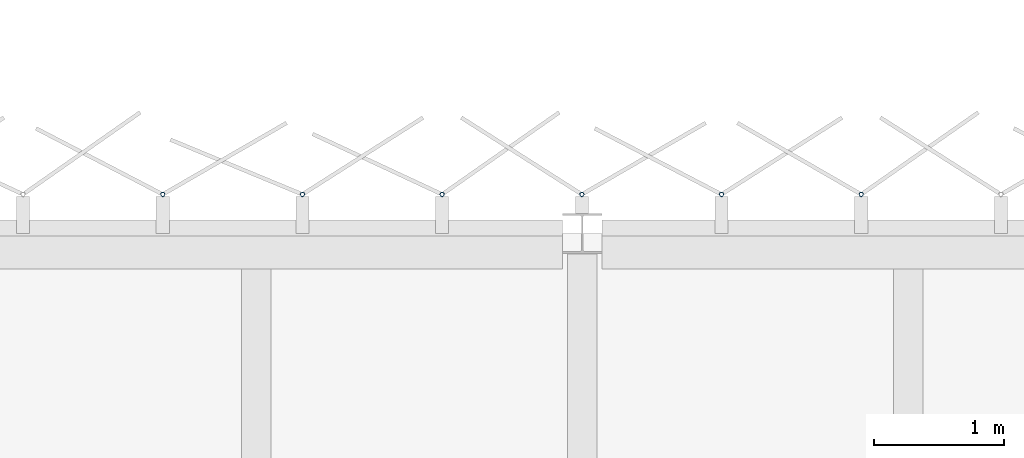
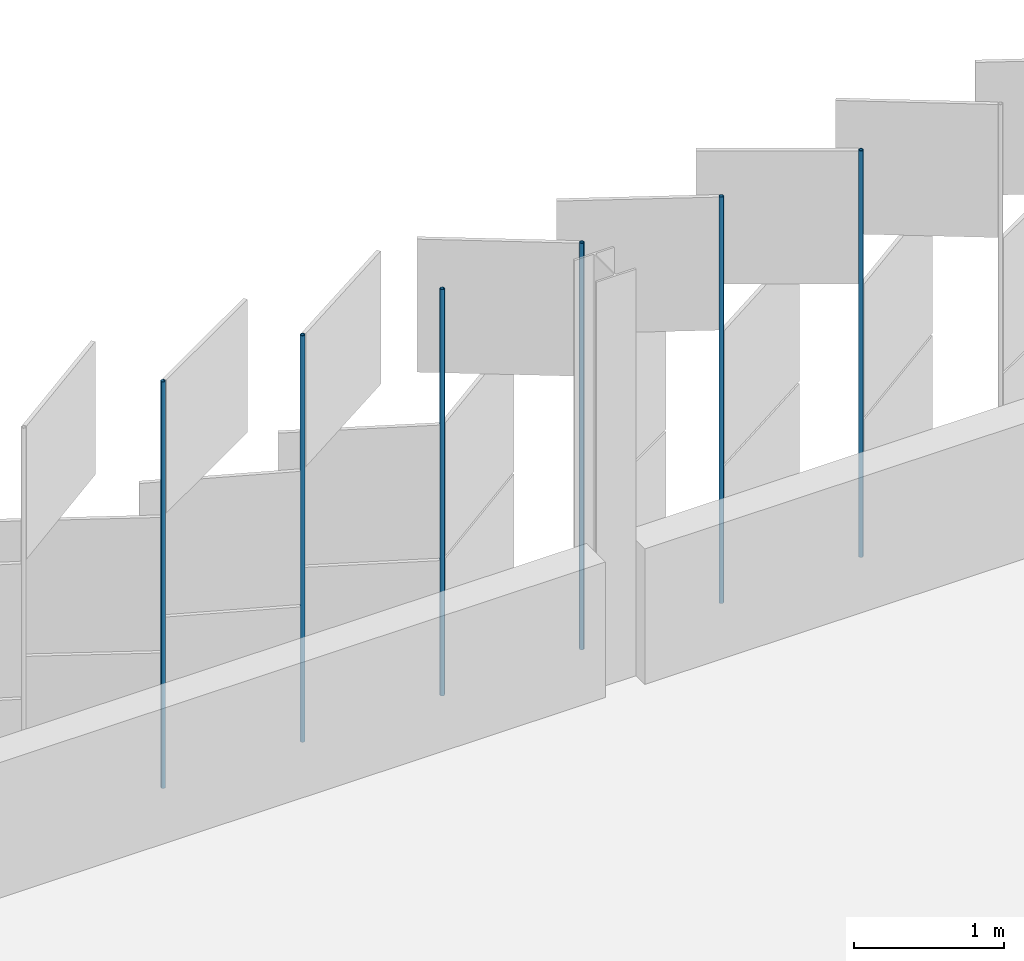
# One storey, part 149 of 198: 6 discrete accessories.
"""IFC4 building model written with IfcOpenShell, lengths in metres."""

from ifc_helpers import new_model, si_unit, direction, frame, origin, origin_2d, place, context, subcontext, project, spatial, hollow_circle, extrude, material, material_profile, profile_set, type_object, element, save


model = new_model("IFC4")

# Units and contexts
model_context = context("Model", 3, precision=1e-05, world=origin(), true_north=direction((0.0, 1.0)))
body_context = subcontext(model_context, "Body", "Model", "MODEL_VIEW")
ifc_project = project(units=[si_unit("LENGTHUNIT", "METRE"), si_unit("AREAUNIT", "SQUARE_METRE"), si_unit("VOLUMEUNIT", "CUBIC_METRE"), si_unit("PLANEANGLEUNIT", "RADIAN"), si_unit("MASSUNIT", "GRAM", prefix="KILO")], contexts=[model_context])

# Site, building, storey
site_placement = place(None, origin())
site = spatial("IfcSite", under=ifc_project, at=site_placement, CompositionType="ELEMENT")
building_placement = place(site_placement, origin())
building = spatial("IfcBuilding", under=site, at=building_placement, Name="Parallax Yard Mobility Hub", CompositionType="ELEMENT")
storey_placement = place(building_placement, frame((0.0, 0.0, 6.60009765625)))
storey = spatial("IfcBuildingStorey", under=building, at=storey_placement, Name="L02", CompositionType="ELEMENT", Elevation=6.60009765625)

# Discrete accessories
ifc_material = material(Name="Steel ASTM A500 Gr C, hot-dip galvanised", Category="steel")
ifc_material_profile = material_profile(ifc_material, hollow_circle(Radius=0.016845703125, WallThickness=0.003173828125, at=origin_2d()), Name="CHS 33.7x3.2")
ifc_profile_set = profile_set([ifc_material_profile], Name="Steel ASTM A500 Gr C, hot-dip galvanised")
discrete_accessory_type = type_object("IfcDiscreteAccessoryType", Name="Hinge post CHS 33.7x3.2", PredefinedType="BRACKET", material=ifc_profile_set)
for number, where, z_axis, x_axis, name in (
    (1, (129.6396484375, 142.800048828125, 0.0), (0.0, 0.0, 1.0), (1.0, 0.0, 0.0), "Hinge post bay 56.6 level L02"),
    (2, (128.568115234375, 142.800048828125, 0.0), (0.0, 0.0, 1.0), (1.0, 0.0, 0.0), "Hinge post bay 56.7 level L02"),
    (3, (127.49658203125, 142.800048828125, 0.0), (0.0, 0.0, 1.0), (1.0, 0.0, 0.0), "Hinge post bay 57.1 level L02"),
    (4, (126.425048828125, 142.800048828125, 0.0), (0.0, 0.0, 1.0), (1.0, 0.0, 0.0), "Hinge post bay 57.2 level L02"),
    (5, (125.353515625, 142.800048828125, 0.0), (0.0, 0.0, 1.0), (1.0, 0.0, 0.0), "Hinge post bay 57.3 level L02"),
    (6, (124.281982421875, 142.800048828125, 0.0), (0.0, 0.0, 1.0), (1.0, 0.0, 0.0), "Hinge post bay 57.4 level L02"),
):
    element("IfcDiscreteAccessory", number, at=place(storey_placement, frame(where, z_axis=z_axis, x_axis=x_axis)), inside=storey, type_object=discrete_accessory_type, Name=name, PredefinedType="BRACKET", context=body_context, shape_type="SweptSolid", body=[
        extrude(hollow_circle(Radius=0.016845703125, WallThickness=0.003173828125, at=origin_2d()), origin(), (0.0, 0.0, 1.0), 3.2998046875),
    ])

save(model, "model.ifc")
